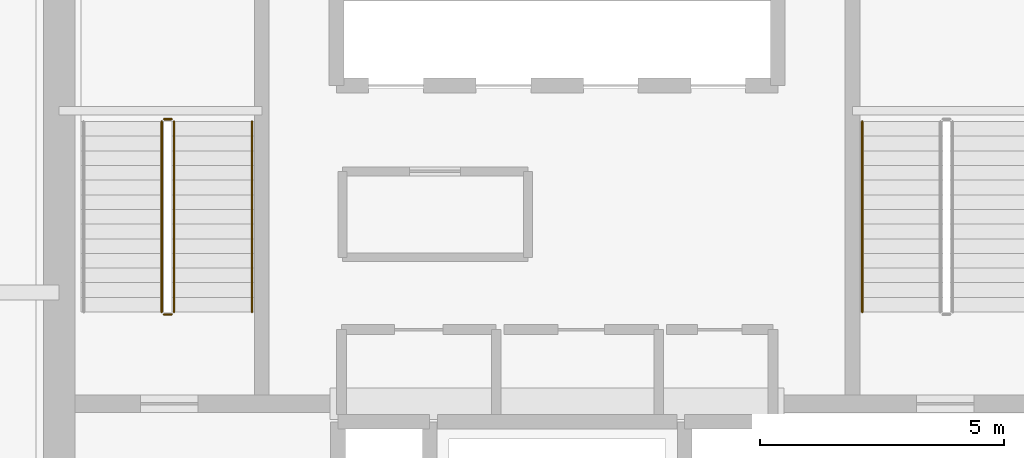
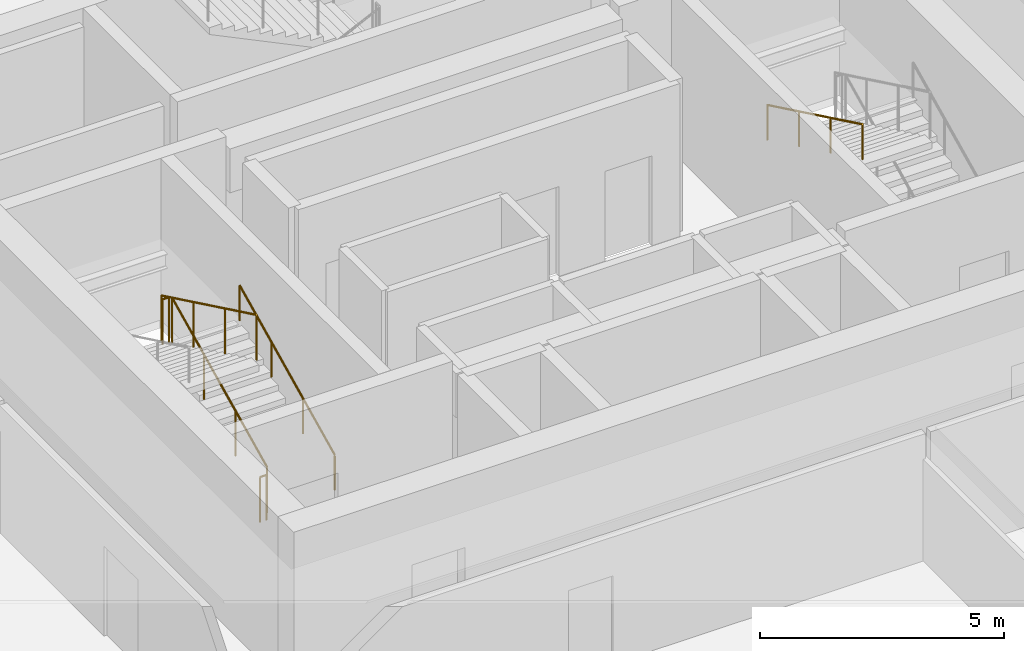
# One storey, part 33 of 36: 6 railings.
"""IFC4 building model written with IfcOpenShell, lengths in metres."""

from ifc_helpers import new_model, si_unit, direction, frame, origin, origin_2d, place, context, subcontext, project, spatial, circle, extrude, material, type_object, element, save


model = new_model("IFC4")

# Units and contexts
model_context = context("Model", 3, precision=1e-05, world=origin(), true_north=direction((0.0, 1.0)))
body_context = subcontext(model_context, "Body", "Model", "MODEL_VIEW")
ifc_project = project(units=[si_unit("LENGTHUNIT", "METRE"), si_unit("AREAUNIT", "SQUARE_METRE"), si_unit("VOLUMEUNIT", "CUBIC_METRE"), si_unit("PLANEANGLEUNIT", "RADIAN"), si_unit("MASSUNIT", "GRAM", prefix="KILO")], contexts=[model_context])

# Site, building, storey
site_placement = place(None, origin())
site = spatial("IfcSite", under=ifc_project, at=site_placement, CompositionType="ELEMENT")
building_placement = place(site_placement, origin())
building = spatial("IfcBuilding", under=site, at=building_placement, Name="Punatoya Terracotta Tower", CompositionType="ELEMENT")
storey_placement = place(building_placement, frame((0.0, 0.0, 184.35009765625)))
storey = spatial("IfcBuildingStorey", under=building, at=storey_placement, Name="L43", CompositionType="ELEMENT", Elevation=184.35009765625)

# Railings
ifc_material = material(Name="Steel S355", Category="steel")
railing_type_1 = type_object("IfcRailingType", Name="RLG-GRD-1150", PredefinedType="GUARDRAIL", material=ifc_material)
railing_1_placement = place(storey_placement, frame((-7.85009765625, -3.800048828125, 0.14453125)))
element("IfcRailing", 1, at=railing_1_placement, inside=storey, type_object=railing_type_1, Name="L43 ST-1 stair guard 1", PredefinedType="GUARDRAIL", context=body_context, shape_type="SweptSolid", body=[
    extrude(circle(Radius=0.02392578125, at=origin_2d()), frame((0.0, 0.0, 1.1259765625), z_axis=(0.0, 0.900773802044, 0.434288564841), x_axis=(-1.0, 0.0, 0.0)), (0.0, 0.0, 1.0), 4.329833984375),
    extrude(circle(Radius=0.02099609375, at=origin_2d()), origin(), (0.0, 0.0, 1.0), 1.101806640625),
    extrude(circle(Radius=0.02099609375, at=origin_2d()), frame((0.0, 1.300048828125, 0.626708984375)), (0.0, 0.0, 1.0), 1.101806640625),
    extrude(circle(Radius=0.02099609375, at=origin_2d()), frame((0.0, 2.60009765625, 1.253662109375)), (0.0, 0.0, 1.0), 1.101806640625),
    extrude(circle(Radius=0.02099609375, at=origin_2d()), frame((0.0, 3.900146484375, 1.88037109375)), (0.0, 0.0, 1.0), 1.101806640625),
])
railing_2_placement = place(storey_placement, frame((-7.89990234375, 0.14990234375, 2.02490234375)))
element("IfcRailing", 2, at=railing_2_placement, inside=storey, type_object=railing_type_1, Name="L43 ST-1 stair guard 2", PredefinedType="GUARDRAIL", context=body_context, shape_type="SweptSolid", body=[
    extrude(circle(Radius=0.02392578125, at=origin_2d()), frame((0.0, 0.0, 1.1259765625), z_axis=(-1.0, 0.0, 0.0), x_axis=(0.0, -1.0, 0.0)), (0.0, 0.0, 1.0), 0.150146484375),
    extrude(circle(Radius=0.02099609375, at=origin_2d()), origin(), (0.0, 0.0, 1.0), 1.101806640625),
    extrude(circle(Radius=0.02099609375, at=origin_2d()), frame((-0.150146484375, 0.0, 0.0)), (0.0, 0.0, 1.0), 1.101806640625),
])
railing_3_placement = place(storey_placement, frame((-8.10009765625, 0.10009765625, 2.16943359375)))
element("IfcRailing", 3, at=railing_3_placement, inside=storey, type_object=railing_type_1, Name="L43 ST-1 stair guard 3", PredefinedType="GUARDRAIL", context=body_context, shape_type="SweptSolid", body=[
    extrude(circle(Radius=0.02392578125, at=origin_2d()), frame((0.0, 0.0, 1.1259765625), z_axis=(0.0, -0.900773802044, 0.434288564841), x_axis=(1.0, 0.0, 0.0)), (0.0, 0.0, 1.0), 4.329833984375),
    extrude(circle(Radius=0.02099609375, at=origin_2d()), origin(), (0.0, 0.0, 1.0), 1.101806640625),
    extrude(circle(Radius=0.02099609375, at=origin_2d()), frame((0.0, -1.300048828125, 0.626708984375)), (0.0, 0.0, 1.0), 1.101806640625),
    extrude(circle(Radius=0.02099609375, at=origin_2d()), frame((0.0, -2.60009765625, 1.253662109375)), (0.0, 0.0, 1.0), 1.101806640625),
    extrude(circle(Radius=0.02099609375, at=origin_2d()), frame((0.0, -3.900146484375, 1.88037109375)), (0.0, 0.0, 1.0), 1.101806640625),
])
railing_4_placement = place(storey_placement, frame((-7.89990234375, -3.85009765625, 0.0)))
element("IfcRailing", 4, at=railing_4_placement, inside=storey, type_object=railing_type_1, Name="L43 ST-1 stair guard 4", PredefinedType="GUARDRAIL", context=body_context, shape_type="SweptSolid", body=[
    extrude(circle(Radius=0.02392578125, at=origin_2d()), frame((0.0, 0.0, 1.1259765625), z_axis=(-1.0, 0.0, 0.0), x_axis=(0.0, -1.0, 0.0)), (0.0, 0.0, 1.0), 0.150146484375),
    extrude(circle(Radius=0.02099609375, at=origin_2d()), origin(), (0.0, 0.0, 1.0), 1.101806640625),
    extrude(circle(Radius=0.02099609375, at=origin_2d()), frame((-0.150146484375, 0.0, 0.0)), (0.0, 0.0, 1.0), 1.101806640625),
])
railing_type_2 = type_object("IfcRailingType", Name="RLG-HND-900", PredefinedType="HANDRAIL", material=ifc_material)
railing_5_placement = place(storey_placement, frame((-6.25, -3.800048828125, 0.14453125)))
element("IfcRailing", 5, at=railing_5_placement, inside=storey, type_object=railing_type_2, Name="L43 ST-1 stair handrail 1", PredefinedType="HANDRAIL", context=body_context, shape_type="SweptSolid", body=[
    extrude(circle(Radius=0.02392578125, at=origin_2d()), frame((0.0, 0.0, 0.8759765625), z_axis=(0.0, 0.900773802044, 0.434288564841), x_axis=(-1.0, 0.0, 0.0)), (0.0, 0.0, 1.0), 4.329833984375),
    extrude(circle(Radius=0.02099609375, at=origin_2d()), origin(), (0.0, 0.0, 1.0), 0.851806640625),
    extrude(circle(Radius=0.02099609375, at=origin_2d()), frame((0.0, 1.300048828125, 0.626708984375)), (0.0, 0.0, 1.0), 0.851806640625),
    extrude(circle(Radius=0.02099609375, at=origin_2d()), frame((0.0, 2.60009765625, 1.253662109375)), (0.0, 0.0, 1.0), 0.851806640625),
    extrude(circle(Radius=0.02099609375, at=origin_2d()), frame((0.0, 3.900146484375, 1.88037109375)), (0.0, 0.0, 1.0), 0.851806640625),
])
railing_6_placement = place(storey_placement, frame((6.25, 0.10009765625, 2.16943359375)))
element("IfcRailing", 6, at=railing_6_placement, inside=storey, type_object=railing_type_2, Name="L43 ST-2 stair handrail 2", PredefinedType="HANDRAIL", context=body_context, shape_type="SweptSolid", body=[
    extrude(circle(Radius=0.02392578125, at=origin_2d()), frame((0.0, 0.0, 0.8759765625), z_axis=(0.0, -0.900773802044, 0.434288564841), x_axis=(1.0, 0.0, 0.0)), (0.0, 0.0, 1.0), 4.329833984375),
    extrude(circle(Radius=0.02099609375, at=origin_2d()), origin(), (0.0, 0.0, 1.0), 0.851806640625),
    extrude(circle(Radius=0.02099609375, at=origin_2d()), frame((0.0, -1.300048828125, 0.626708984375)), (0.0, 0.0, 1.0), 0.851806640625),
    extrude(circle(Radius=0.02099609375, at=origin_2d()), frame((0.0, -2.60009765625, 1.253662109375)), (0.0, 0.0, 1.0), 0.851806640625),
    extrude(circle(Radius=0.02099609375, at=origin_2d()), frame((0.0, -3.900146484375, 1.88037109375)), (0.0, 0.0, 1.0), 0.851806640625),
])

save(model, "model.ifc")
